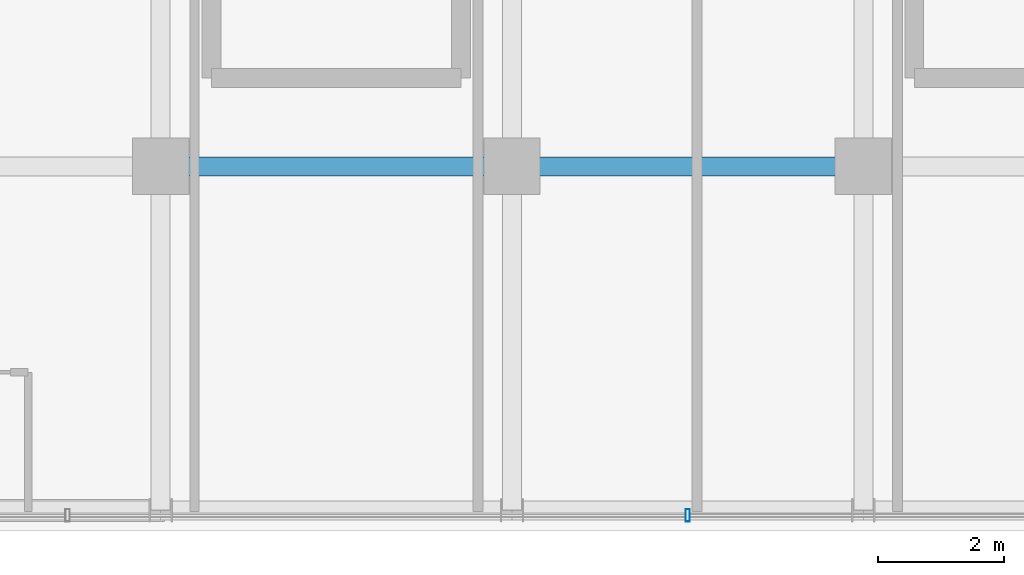
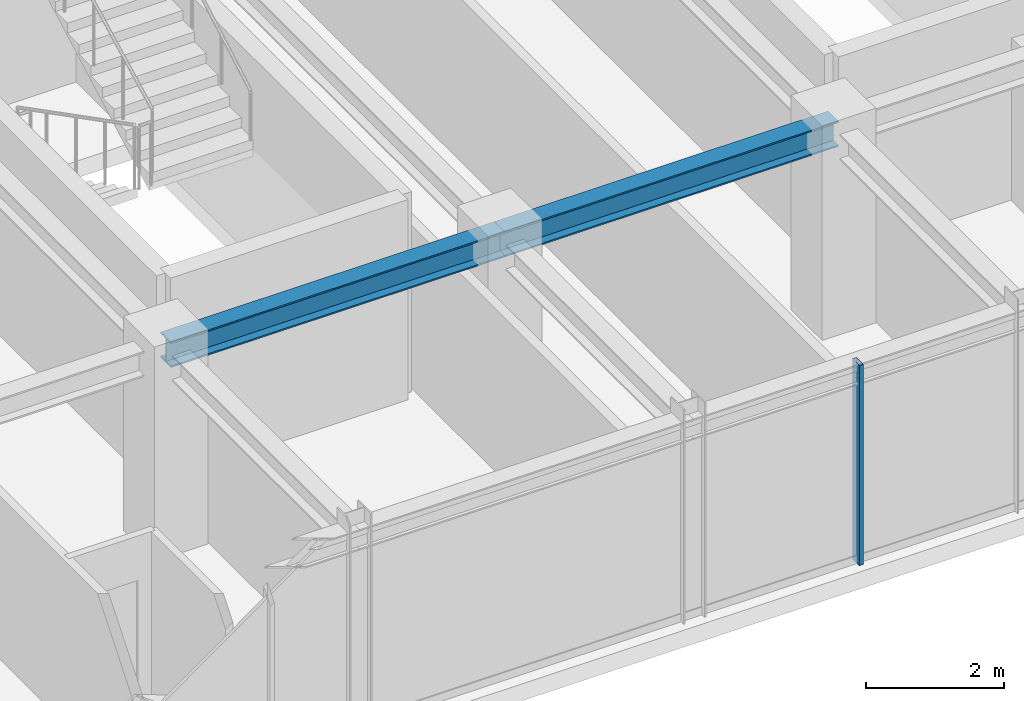
# One storey, part 8 of 39: 2 beams, 1 member, 1 element without a shape of its own.
"""IFC4 building model written with IfcOpenShell, lengths in metres."""

import ifcopenshell
import ifcopenshell.guid

model = None  # the IFC model being written
_history = None  # IfcOwnerHistory: only IFC2X3 demands one
_inside = {}  # id of a spatial element -> (the spatial element, [elements in it])
_under = {}  # id of a project, library or spatial element -> (it, [spatial elements below it])
_declared = {}  # id of a project -> (the project, [libraries it declares])
_typed = {}  # id of a type object -> (the type object, [elements of that type])
_made_of = {}  # id of a material, layer set ... -> (it, [elements and type objects made of it])


def new_model(schema):
    """Start an empty IFC model of exactly this schema.

    Asked for "IFC4X3", IfcOpenShell would pick the latest addendum, in which some entities
    have other attributes; the version numbers below select the first issue.
    IFC2X3 requires an IfcOwnerHistory on every rooted entity: one is made here for all.
    """
    global model, _history
    if schema == "IFC4X3":
        model = ifcopenshell.file(schema_version=(4, 3, 0, 0))
    else:
        model = ifcopenshell.file(schema=schema)
    _inside.clear()
    _under.clear()
    _declared.clear()
    _typed.clear()
    _made_of.clear()
    _history = None
    if model.schema == "IFC2X3":
        org = make("IfcOrganization", Name="unknown")
        user = make(
            "IfcPersonAndOrganization",
            ThePerson=make("IfcPerson", FamilyName="unknown"),
            TheOrganization=org,
        )
        app = make(
            "IfcApplication",
            ApplicationDeveloper=org,
            Version="unknown",
            ApplicationFullName="unknown",
            ApplicationIdentifier="unknown",
        )
        _history = make(
            "IfcOwnerHistory",
            OwningUser=user,
            OwningApplication=app,
            ChangeAction="ADDED",
            CreationDate=0,
        )
    return model


def make(cls, **values):
    """One entity of the class cls with the attributes given. An attribute that is None is left unset."""
    return model.create_entity(
        cls, **{name: value for name, value in values.items() if value is not None}
    )


def rooted(cls, **values):
    """An entity with a GlobalId (a new one), such as an element, a storey or a relation."""
    return make(cls, GlobalId=ifcopenshell.guid.new(), OwnerHistory=_history, **values)


def si_unit(unit_type, name, prefix=None):
    """IfcSIUnit, for example si_unit("LENGTHUNIT", "METRE", prefix="MILLI")."""
    return make("IfcSIUnit", UnitType=unit_type, Prefix=prefix, Name=name)


def assignment(units):
    """IfcUnitAssignment: the units of a project."""
    return None if units is None else make("IfcUnitAssignment", Units=units)


def point(xyz):
    """IfcCartesianPoint."""
    return None if xyz is None else make("IfcCartesianPoint", Coordinates=xyz)


def direction(xyz):
    """IfcDirection."""
    return None if xyz is None else make("IfcDirection", DirectionRatios=xyz)


def frame(location, z_axis=None, x_axis=None):
    """IfcAxis2Placement3D, a coordinate frame: its origin and axes. An axis left out is left unset."""
    return make(
        "IfcAxis2Placement3D",
        Location=point(location),
        Axis=direction(z_axis),
        RefDirection=direction(x_axis),
    )


def frame_2d(location, x_axis=None):
    """IfcAxis2Placement2D, a coordinate frame in the plane: its origin and x axis."""
    return make(
        "IfcAxis2Placement2D", Location=point(location), RefDirection=direction(x_axis)
    )


def origin():
    """The frame at (0, 0, 0) with its axes left unset."""
    return frame((0.0, 0.0, 0.0))


def origin_2d():
    """The frame at (0, 0) in the plane with its x axis left unset."""
    return frame_2d((0.0, 0.0))


def place(relative_to, where):
    """IfcLocalPlacement: puts the frame where relative to a parent placement (None: the world)."""
    return make(
        "IfcLocalPlacement", PlacementRelTo=relative_to, RelativePlacement=where
    )


def context(
    kind, dimensions, precision=None, world=None, true_north=None, identifier=None
):
    """IfcGeometricRepresentationContext, for example the 3D "Model" context."""
    return make(
        "IfcGeometricRepresentationContext",
        ContextIdentifier=identifier,
        ContextType=kind,
        CoordinateSpaceDimension=dimensions,
        Precision=precision,
        WorldCoordinateSystem=world,
        TrueNorth=true_north,
    )


def subcontext(parent, identifier, kind, view, scale=None):
    """IfcGeometricRepresentationSubContext, for example "Body" below "Model"."""
    return make(
        "IfcGeometricRepresentationSubContext",
        ContextIdentifier=identifier,
        ContextType=kind,
        ParentContext=parent,
        TargetScale=scale,
        TargetView=view,
    )


def project(units=None, contexts=None):
    """IfcProject with its units and contexts."""
    return rooted(
        "IfcProject",
        Name="project",
        RepresentationContexts=contexts,
        UnitsInContext=assignment(units),
    )


def spatial(cls, under=None, at=None, **own):
    """A site, building, storey or space (cls), placed at a placement, below another one or the project."""
    s = rooted(cls, ObjectPlacement=at, **own)
    if under is not None:
        _under.setdefault(under.id(), (under, []))[1].append(s)
    return s


def profile(cls, at=None, kind="AREA", **sizes):
    """A parametric profile (cls). Its sizes go by their IFC names, for example OverallWidth=200.0."""
    return make(cls, ProfileType=kind, Position=at, **sizes)


def hollow_rectangle(**sizes):
    """IfcRectangleHollowProfileDef."""
    return profile("IfcRectangleHollowProfileDef", **sizes)


def i_section(**sizes):
    """IfcIShapeProfileDef."""
    return profile("IfcIShapeProfileDef", **sizes)


def extrude(swept, where, along, depth):
    """IfcExtrudedAreaSolid: the profile swept, set in the frame where, extruded along a direction by depth."""
    return make(
        "IfcExtrudedAreaSolid",
        SweptArea=swept,
        Position=where,
        ExtrudedDirection=direction(along),
        Depth=depth,
    )


def shape(context_of_items, identifier, shape_type, items):
    """IfcShapeRepresentation: the items that make up one representation, for example the "Body"."""
    return make(
        "IfcShapeRepresentation",
        ContextOfItems=context_of_items,
        RepresentationIdentifier=identifier,
        RepresentationType=shape_type,
        Items=items,
    )


def source(mapping_origin, context_of_items, identifier, shape_type, items):
    """IfcRepresentationMap: a shape defined once, which mapped items show again and again."""
    return make(
        "IfcRepresentationMap",
        MappingOrigin=mapping_origin,
        MappedRepresentation=shape(context_of_items, identifier, shape_type, items),
    )


def transform(
    local_origin,
    x_axis=None,
    y_axis=None,
    z_axis=None,
    scale=None,
    scale2=None,
    scale3=None,
    uniform=True,
):
    """IfcCartesianTransformationOperator3D, or its non-uniform kind. x_axis, y_axis, z_axis: its Axis1, 2, 3."""
    if uniform:
        return make(
            "IfcCartesianTransformationOperator3D",
            Axis1=direction(x_axis),
            Axis2=direction(y_axis),
            LocalOrigin=point(local_origin),
            Scale=scale,
            Axis3=direction(z_axis),
        )
    return make(
        "IfcCartesianTransformationOperator3DnonUniform",
        Axis1=direction(x_axis),
        Axis2=direction(y_axis),
        LocalOrigin=point(local_origin),
        Scale=scale,
        Axis3=direction(z_axis),
        Scale2=scale2,
        Scale3=scale3,
    )


def mapped(mapping_source, mapping_target):
    """IfcMappedItem: shows the shape of a source again, moved by a transform."""
    return make(
        "IfcMappedItem", MappingSource=mapping_source, MappingTarget=mapping_target
    )


def material(Name=None, Category=None):
    """IfcMaterial."""
    return make("IfcMaterial", Name=Name, Category=Category)


def material_profile(
    of_material, cross_section, Name=None, Category=None, Priority=None
):
    """IfcMaterialProfile: a cross section and its material."""
    return make(
        "IfcMaterialProfile",
        Name=Name,
        Material=of_material,
        Profile=cross_section,
        Priority=Priority,
        Category=Category,
    )


def profile_set(profiles, Name=None, composite=None):
    """IfcMaterialProfileSet."""
    return make(
        "IfcMaterialProfileSet",
        Name=Name,
        MaterialProfiles=profiles,
        CompositeProfile=composite,
    )


def made_of(thing, what):
    """Note that an element or type object is made of a material, layer set ...; save() writes the relation."""
    if what is not None:
        _made_of.setdefault(what.id(), (what, []))[1].append(thing)
    return thing


def type_object(cls, material=None, **own):
    """A type object (cls), such as IfcWallType, which elements share."""
    return made_of(rooted(cls, **own), material)


def element(
    cls,
    number,
    at=None,
    inside=None,
    cuts=None,
    type_object=None,
    material=None,
    context=None,
    identifier="Body",
    shape_type=None,
    held_by="IfcProductDefinitionShape",
    body=None,
    shapes=None,
    **own,
):
    """One element of the class cls, such as IfcWall. Its Tag is "e" and its number.

    at: its placement. inside: the storey or other place that contains it. cuts: it is an
    opening in that element (IfcRelVoidsElement). A single representation is given by context,
    identifier, shape_type and body (its items); several are given by shapes. held_by: the class
    of the entity that holds the representations. save() writes the other relations.
    """
    e = rooted(cls, Tag="e%d" % number, ObjectPlacement=at, **own)
    if body is not None:
        shapes = [shape(context, identifier, shape_type, body)]
    if shapes is not None:
        e.Representation = make(held_by, Representations=shapes)
    if inside is not None:
        _inside.setdefault(inside.id(), (inside, []))[1].append(e)
    if cuts is not None:
        rooted(
            "IfcRelVoidsElement", RelatingBuildingElement=cuts, RelatedOpeningElement=e
        )
    if type_object is not None:
        _typed.setdefault(type_object.id(), (type_object, []))[1].append(e)
    return made_of(e, material)


def aggregate(whole, parts):
    """IfcRelAggregates: a whole, such as a stair, and the parts it consists of."""
    return rooted("IfcRelAggregates", RelatingObject=whole, RelatedObjects=parts)


def save(model, path):
    """Write the relations noted so far, then the file.

    IfcRelAggregates (storeys below a building ...), IfcRelContainedInSpatialStructure (elements
    in a storey), IfcRelDefinesByType, IfcRelAssociatesMaterial and IfcRelDeclares: one each for
    every whole, place, type object, material and project.
    """
    for whole, parts in _under.values():
        aggregate(whole, parts)
    for where, things in _inside.values():
        rooted(
            "IfcRelContainedInSpatialStructure",
            RelatedElements=things,
            RelatingStructure=where,
        )
    for kind, things in _typed.values():
        rooted("IfcRelDefinesByType", RelatedObjects=things, RelatingType=kind)
    for what, things in _made_of.values():
        rooted("IfcRelAssociatesMaterial", RelatedObjects=things, RelatingMaterial=what)
    for by, libraries in _declared.values():
        rooted("IfcRelDeclares", RelatingContext=by, RelatedDefinitions=libraries)
    model.write(path)


model = new_model("IFC4")

# Units and contexts
model_context = context("Model", 3, precision=1e-05, world=origin(), true_north=direction((0.0, 1.0)))
body_context = subcontext(model_context, "Body", "Model", "MODEL_VIEW")
ifc_project = project(units=[si_unit("LENGTHUNIT", "METRE"), si_unit("AREAUNIT", "SQUARE_METRE"), si_unit("VOLUMEUNIT", "CUBIC_METRE"), si_unit("PLANEANGLEUNIT", "RADIAN"), si_unit("MASSUNIT", "GRAM", prefix="KILO")], contexts=[model_context])

# Site, building, storey
site_placement = place(None, origin())
site = spatial("IfcSite", under=ifc_project, at=site_placement, CompositionType="ELEMENT")
building_placement = place(site_placement, origin())
building = spatial("IfcBuilding", under=site, at=building_placement, Name="Nahalor Promenade Grand Hotel", CompositionType="ELEMENT")
storey_placement = place(building_placement, frame((0.0, 0.0, 311.89990234375)))
storey = spatial("IfcBuildingStorey", under=building, at=storey_placement, Name="L80", CompositionType="ELEMENT", Elevation=311.89990234375)

# Beams
ifc_material_1 = material(Name="Steel S355JR", Category="steel")
ifc_material_profile_1 = material_profile(ifc_material_1, i_section(OverallWidth=0.3, OverallDepth=0.45, WebThickness=0.014, FlangeThickness=0.026, at=origin_2d()), Name="HEB 450")
ifc_profile_set_1 = profile_set([ifc_material_profile_1], Name="Steel S355JR")
beam_type = type_object("IfcBeamType", Name="Beam-Girder-HEB450", PredefinedType="BEAM", material=ifc_profile_set_1)
shared_shape_1 = source(origin(), body_context, "Body", "SweptSolid", [
    extrude(i_section(OverallWidth=0.3, OverallDepth=0.45, WebThickness=0.014, FlangeThickness=0.026, at=origin_2d()), origin(), (0.0, 0.0, 1.0), 5.599853515625),
])
beam_1_placement = place(storey_placement, frame((-8.39990234375, -17.0, 3.3251953125), z_axis=(1.0, 0.0, 0.0), x_axis=(0.0, 1.0, 0.0)))
element("IfcBeam", 1, at=beam_1_placement, inside=storey, type_object=beam_type, Name="BM-L80-GX-0-2", PredefinedType="BEAM", context=body_context, shape_type="MappedRepresentation", body=[
    mapped(shared_shape_1, transform((0.0, 0.0, 0.0), scale=1.0)),
])
shared_shape_2 = source(origin(), body_context, "Body", "SweptSolid", [
    extrude(i_section(OverallWidth=0.3, OverallDepth=0.45, WebThickness=0.014, FlangeThickness=0.026, at=origin_2d()), origin(), (0.0, 0.0, 1.0), 5.60009765625),
])
beam_2_placement = place(storey_placement, frame((-2.800048828125, -17.0, 3.3251953125), z_axis=(1.0, 0.0, 0.0), x_axis=(0.0, 1.0, 0.0)))
element("IfcBeam", 2, at=beam_2_placement, inside=storey, type_object=beam_type, Name="BM-L80-GX-0-3", PredefinedType="BEAM", context=body_context, shape_type="MappedRepresentation", body=[
    mapped(shared_shape_2, transform((0.0, 0.0, 0.0), scale=1.0)),
])

# Curtain wall, member
ifc_material_2 = material(Name="Anodised Bronze Aluminium EN AW-6063 T6", Category="aluminium")
curtain_wall_type = type_object("IfcCurtainWallType", Name="CW3 Elliptical-Void Collar Unitised Curtain Wall", PredefinedType="USERDEFINED", material=ifc_material_2)
curtain_wall_placement = place(storey_placement, origin())
curtain_wall = element("IfcCurtainWall", 3, at=curtain_wall_placement, inside=storey, type_object=curtain_wall_type, Name="L80 Curtain Wall CW-L80-S-1", ObjectType="UNITISED_CURTAIN_WALL", PredefinedType="USERDEFINED")
ifc_material_profile_2 = material_profile(ifc_material_2, hollow_rectangle(XDim=0.07, YDim=0.2, WallThickness=0.005, at=origin_2d()), Name="CWM 70x200x5")
ifc_profile_set_2 = profile_set([ifc_material_profile_2], Name="Anodised Bronze Aluminium EN AW-6063 T6")
member_type = type_object("IfcMemberType", Name="CWM3 Void Collar Mullion 70x200", PredefinedType="MULLION", material=ifc_profile_set_2)
shared_shape_3 = source(origin(), body_context, "Body", "SweptSolid", [
    extrude(hollow_rectangle(XDim=0.07, YDim=0.2, WallThickness=0.005, at=origin_2d()), origin(), (0.0, 0.0, 1.0), 3.550048828125),
])
member_placement = place(storey_placement, frame((0.0, -22.56005859375, 0.0), z_axis=(0.0, 0.0, 1.0), x_axis=(1.0, 0.0, 0.0)))
member = element("IfcMember", 4, at=member_placement, type_object=member_type, Name="CW-L80-S-1 Mullion 2", PredefinedType="MULLION", context=body_context, shape_type="MappedRepresentation", body=[
    mapped(shared_shape_3, transform((0.0, 0.0, 0.0), scale=1.0)),
])
aggregate(curtain_wall, [member])

save(model, "model.ifc")
